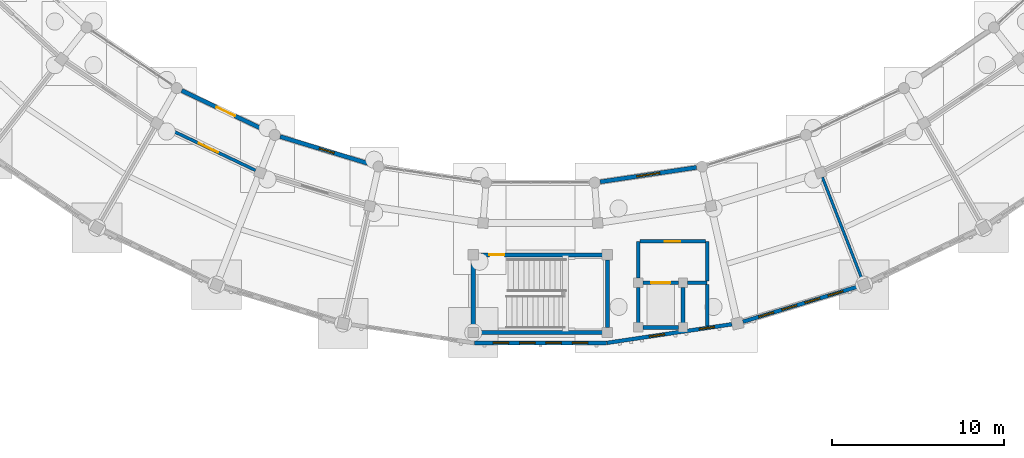
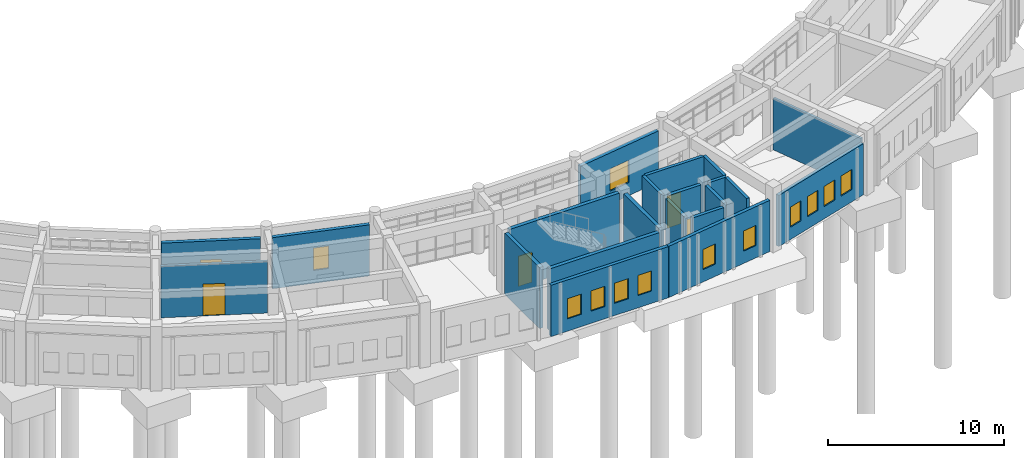
# One storey, part 122 of 153: 21 walls, 12 windows, 5 doors, 17 openings.
"""IFC4 building model written with IfcOpenShell, lengths in metres."""

from ifc_helpers import new_model, si_unit, direction, frame, frame_2d, origin, place, context, subcontext, project, spatial, rectangle, extrude, material, layer, layer_set, type_object, element, fill, save


model = new_model("IFC4")

# Units and contexts
model_context = context("Model", 3, precision=1e-05, world=origin(), true_north=direction((0.0, 1.0)))
body_context = subcontext(model_context, "Body", "Model", "MODEL_VIEW")
ifc_project = project(units=[si_unit("LENGTHUNIT", "METRE"), si_unit("AREAUNIT", "SQUARE_METRE"), si_unit("VOLUMEUNIT", "CUBIC_METRE"), si_unit("PLANEANGLEUNIT", "RADIAN"), si_unit("MASSUNIT", "GRAM", prefix="KILO")], contexts=[model_context])

# Site, building, storey
site_placement = place(None, origin())
site = spatial("IfcSite", under=ifc_project, at=site_placement, CompositionType="ELEMENT")
building_placement = place(site_placement, origin())
building = spatial("IfcBuilding", under=site, at=building_placement, Name="Celadon Cloister-Ring School", CompositionType="ELEMENT")
storey_placement = place(building_placement, origin())
storey = spatial("IfcBuildingStorey", under=building, at=storey_placement, Name="L00", CompositionType="ELEMENT", Elevation=0.0)

# Wall, opening, door
ifc_material_1 = material(Name="Rendered concrete blockwork", Category="masonry")
ifc_layer_1 = layer(ifc_material_1, 0.239990234375)
ifc_layer_set_1 = layer_set([ifc_layer_1], Name="Rendered concrete blockwork")
wall_type_1 = type_object("IfcWallType", Name="WT-EX3", PredefinedType="SOLIDWALL", material=ifc_layer_set_1)
wall_1_placement = place(storey_placement, frame((66.139892578125, 21.824951171875, 0.0), z_axis=(0.0, 0.0, 1.0), x_axis=(0.902739398982, -0.430187839817, 0.0)))
wall_1 = element("IfcWall", 1, at=wall_1_placement, inside=storey, type_object=wall_type_1, Name="Exterior Wall 0022", PredefinedType="SOLIDWALL", context=body_context, shape_type="SweptSolid", body=[
    extrude(rectangle(XDim=5.6650390625, YDim=0.239990234375, at=frame_2d((2.83251953125, 0.0))), origin(), (0.0, 0.0, 1.0), 3.550048828125),
])
opening_1_placement = place(wall_1_placement, frame((2.23193359375, 0.0, 0.0)))
opening_1 = element("IfcOpeningElement", 2, at=opening_1_placement, cuts=wall_1, Name="Opening D-0004", PredefinedType="OPENING", context=body_context, shape_type="SweptSolid", body=[
    extrude(rectangle(XDim=1.199951171875, YDim=2.25, at=frame_2d((0.60009765625, 1.125))), frame((0.0, 0.1298828125, 0.0), z_axis=(0.0, -1.0, 0.0), x_axis=(1.0, 0.0, 0.0)), (0.0, 0.0, 1.0), 0.260009765625),
])
ifc_material_2 = material(Name="Aluminium EN AW-6063 T6", Category="aluminium")
door_type_1 = type_object("IfcDoorType", Name="DE-06", OperationType="NOTDEFINED", PredefinedType="DOOR", material=ifc_material_2)
door_1_placement = place(opening_1_placement, origin())
door_1 = element("IfcDoor", 3, at=door_1_placement, inside=storey, type_object=door_type_1, Name="Exterior Door D-0004", OperationType="SINGLE_SWING_RIGHT", OverallHeight=2.25, OverallWidth=1.199951171875, PredefinedType="DOOR", context=body_context, shape_type="SweptSolid", body=[
    extrude(rectangle(XDim=1.199951171875, YDim=2.25, at=frame_2d((0.60009765625, 1.125))), frame((0.0, 0.02490234375, 0.0), z_axis=(0.0, -1.0, 0.0), x_axis=(1.0, 0.0, 0.0)), (0.0, 0.0, 1.0), 0.050048828125),
])
fill(opening_1, door_1)

# Wall, opening, window
wall_2_placement = place(storey_placement, frame((71.862060546875, 19.15087890625, 0.0), z_axis=(0.0, 0.0, 1.0), x_axis=(0.956419807649, -0.291995122454, 0.0)))
wall_2 = element("IfcWall", 4, at=wall_2_placement, inside=storey, type_object=wall_type_1, Name="Exterior Wall 0024", PredefinedType="SOLIDWALL", context=body_context, shape_type="SweptSolid", body=[
    extrude(rectangle(XDim=5.663818359375, YDim=0.239990234375, at=frame_2d((2.83203125, 0.0))), origin(), (0.0, 0.0, 1.0), 3.550048828125),
])
opening_2_placement = place(wall_2_placement, frame((2.382080078125, 0.0, 0.89990234375)))
opening_2 = element("IfcOpeningElement", 5, at=opening_2_placement, cuts=wall_2, Name="Opening WN-31", PredefinedType="OPENING", context=body_context, shape_type="SweptSolid", body=[
    extrude(rectangle(XDim=0.89990234375, YDim=1.550048828125, at=frame_2d((0.449951171875, 0.77490234375))), frame((0.0, 0.1298828125, 0.0), z_axis=(0.0, -1.0, 0.0), x_axis=(1.0, 0.0, 0.0)), (0.0, 0.0, 1.0), 0.260009765625),
])
ifc_material_3 = material(Name="Tempered laminated insulating glass", Category="glass")
window_type_1 = type_object("IfcWindowType", Name="WN-31", PartitioningType="SINGLE_PANEL", PredefinedType="WINDOW", material=ifc_material_3)
window_1_placement = place(opening_2_placement, origin())
window_1 = element("IfcWindow", 6, at=window_1_placement, inside=storey, type_object=window_type_1, Name="Window 0059", OverallHeight=1.550048828125, OverallWidth=0.89990234375, PartitioningType="SINGLE_PANEL", PredefinedType="WINDOW", context=body_context, shape_type="SweptSolid", body=[
    extrude(rectangle(XDim=0.89990234375, YDim=1.550048828125, at=frame_2d((0.449951171875, 0.77490234375))), frame((0.0, 0.030029296875, 0.0), z_axis=(0.0, -1.0, 0.0), x_axis=(1.0, 0.0, 0.0)), (0.0, 0.0, 1.0), 0.06005859375),
])
fill(opening_2, window_1)

wall_3_placement = place(storey_placement, frame((90.48193359375, 16.514892578125, 0.0), z_axis=(0.0, 0.0, 1.0), x_axis=(0.988996328806, 0.147940060862, 0.0)))
wall_3 = element("IfcWall", 7, at=wall_3_placement, inside=storey, type_object=wall_type_1, Name="Exterior Wall 0028", PredefinedType="SOLIDWALL", context=body_context, shape_type="SweptSolid", body=[
    extrude(rectangle(XDim=5.665283203125, YDim=0.239990234375, at=frame_2d((2.83251953125, 0.0))), origin(), (0.0, 0.0, 1.0), 3.550048828125),
])
opening_3_placement = place(wall_3_placement, frame((2.157958984375, 0.0, 0.89990234375)))
opening_3 = element("IfcOpeningElement", 8, at=opening_3_placement, cuts=wall_3, Name="Opening WN-34", PredefinedType="OPENING", context=body_context, shape_type="SweptSolid", body=[
    extrude(rectangle(XDim=1.35009765625, YDim=1.550048828125, at=frame_2d((0.675048828125, 0.77490234375))), frame((0.0, 0.1298828125, 0.0), z_axis=(0.0, -1.0, 0.0), x_axis=(1.0, 0.0, 0.0)), (0.0, 0.0, 1.0), 0.260009765625),
])
ifc_material_4 = material(Name="Tempered laminated insulating glass", Category="glass")
window_type_2 = type_object("IfcWindowType", Name="WN-34", PartitioningType="SINGLE_PANEL", PredefinedType="WINDOW", material=ifc_material_4)
window_2_placement = place(opening_3_placement, origin())
window_2 = element("IfcWindow", 9, at=window_2_placement, inside=storey, type_object=window_type_2, Name="Window 0070", OverallHeight=1.550048828125, OverallWidth=1.35009765625, PartitioningType="SINGLE_PANEL", PredefinedType="WINDOW", context=body_context, shape_type="SweptSolid", body=[
    extrude(rectangle(XDim=1.35009765625, YDim=1.550048828125, at=frame_2d((0.675048828125, 0.77490234375))), frame((0.0, 0.030029296875, 0.0), z_axis=(0.0, -1.0, 0.0), x_axis=(1.0, 0.0, 0.0)), (0.0, 0.0, 1.0), 0.06005859375),
])
fill(opening_3, window_2)

# Wall, openings, windows
ifc_material_5 = material(Name="Perforated terracotta clay brick masonry", Category="masonry")
ifc_layer_2 = layer(ifc_material_5, 0.219970703125)
ifc_layer_set_2 = layer_set([ifc_layer_2], Name="Perforated terracotta clay brick masonry")
wall_type_2 = type_object("IfcWallType", Name="WT-EX4", PredefinedType="SOLIDWALL", material=ifc_layer_set_2)
wall_4_placement = place(storey_placement, frame((90.85205078125, 7.14306640625, 0.0), z_axis=(0.0, 0.0, 1.0), x_axis=(-1.0, 0.0, 0.0)))
wall_4 = element("IfcWall", 10, at=wall_4_placement, inside=storey, type_object=wall_type_2, Name="Exterior Wall 0026", PredefinedType="SOLIDWALL", context=body_context, shape_type="SweptSolid", body=[
    extrude(rectangle(XDim=7.68603515625, YDim=0.219970703125, at=frame_2d((3.843017578125, 0.0))), origin(), (0.0, 0.0, 1.0), 3.550048828125),
])
opening_4_placement = place(wall_4_placement, frame((1.0869140625, 0.0, 0.85009765625)))
opening_4 = element("IfcOpeningElement", 11, at=opening_4_placement, cuts=wall_4, Name="Opening WN-21", PredefinedType="OPENING", context=body_context, shape_type="SweptSolid", body=[
    extrude(rectangle(XDim=0.89990234375, YDim=1.39990234375, at=frame_2d((0.449951171875, 0.699951171875))), frame((0.0, 0.1201171875, 0.0), z_axis=(0.0, -1.0, 0.0), x_axis=(1.0, 0.0, 0.0)), (0.0, 0.0, 1.0), 0.239990234375),
])
opening_5_placement = place(wall_4_placement, frame((2.6240234375, 0.0, 0.85009765625)))
opening_5 = element("IfcOpeningElement", 12, at=opening_5_placement, cuts=wall_4, Name="Opening WN-21", PredefinedType="OPENING", context=body_context, shape_type="SweptSolid", body=[
    extrude(rectangle(XDim=0.89990234375, YDim=1.39990234375, at=frame_2d((0.449951171875, 0.699951171875))), frame((0.0, 0.1201171875, 0.0), z_axis=(0.0, -1.0, 0.0), x_axis=(1.0, 0.0, 0.0)), (0.0, 0.0, 1.0), 0.239990234375),
])
opening_6_placement = place(wall_4_placement, frame((4.162109375, 0.0, 0.85009765625)))
opening_6 = element("IfcOpeningElement", 13, at=opening_6_placement, cuts=wall_4, Name="Opening WN-21", PredefinedType="OPENING", context=body_context, shape_type="SweptSolid", body=[
    extrude(rectangle(XDim=0.89990234375, YDim=1.39990234375, at=frame_2d((0.449951171875, 0.699951171875))), frame((0.0, 0.1201171875, 0.0), z_axis=(0.0, -1.0, 0.0), x_axis=(1.0, 0.0, 0.0)), (0.0, 0.0, 1.0), 0.239990234375),
])
opening_7_placement = place(wall_4_placement, frame((5.698974609375, 0.0, 0.85009765625)))
opening_7 = element("IfcOpeningElement", 14, at=opening_7_placement, cuts=wall_4, Name="Opening WN-21", PredefinedType="OPENING", context=body_context, shape_type="SweptSolid", body=[
    extrude(rectangle(XDim=0.89990234375, YDim=1.39990234375, at=frame_2d((0.449951171875, 0.699951171875))), frame((0.0, 0.1201171875, 0.0), z_axis=(0.0, -1.0, 0.0), x_axis=(1.0, 0.0, 0.0)), (0.0, 0.0, 1.0), 0.239990234375),
])
ifc_material_6 = material(Name="Tempered laminated insulating glass", Category="glass")
window_type_3 = type_object("IfcWindowType", Name="WN-21", PartitioningType="SINGLE_PANEL", PredefinedType="WINDOW", material=ifc_material_6)
window_3_placement = place(opening_4_placement, origin())
window_3 = element("IfcWindow", 15, at=window_3_placement, inside=storey, type_object=window_type_3, Name="Window 0064", OverallHeight=1.39990234375, OverallWidth=0.89990234375, PartitioningType="SINGLE_PANEL", PredefinedType="WINDOW", context=body_context, shape_type="SweptSolid", body=[
    extrude(rectangle(XDim=0.89990234375, YDim=1.39990234375, at=frame_2d((0.449951171875, 0.699951171875))), frame((0.0, 0.030029296875, 0.0), z_axis=(0.0, -1.0, 0.0), x_axis=(1.0, 0.0, 0.0)), (0.0, 0.0, 1.0), 0.06005859375),
])
fill(opening_4, window_3)
window_4_placement = place(opening_5_placement, origin())
window_4 = element("IfcWindow", 16, at=window_4_placement, inside=storey, type_object=window_type_3, Name="Window 0065", OverallHeight=1.39990234375, OverallWidth=0.89990234375, PartitioningType="SINGLE_PANEL", PredefinedType="WINDOW", context=body_context, shape_type="SweptSolid", body=[
    extrude(rectangle(XDim=0.89990234375, YDim=1.39990234375, at=frame_2d((0.449951171875, 0.699951171875))), frame((0.0, 0.030029296875, 0.0), z_axis=(0.0, -1.0, 0.0), x_axis=(1.0, 0.0, 0.0)), (0.0, 0.0, 1.0), 0.06005859375),
])
fill(opening_5, window_4)
window_5_placement = place(opening_6_placement, origin())
window_5 = element("IfcWindow", 17, at=window_5_placement, inside=storey, type_object=window_type_3, Name="Window 0066", OverallHeight=1.39990234375, OverallWidth=0.89990234375, PartitioningType="SINGLE_PANEL", PredefinedType="WINDOW", context=body_context, shape_type="SweptSolid", body=[
    extrude(rectangle(XDim=0.89990234375, YDim=1.39990234375, at=frame_2d((0.449951171875, 0.699951171875))), frame((0.0, 0.030029296875, 0.0), z_axis=(0.0, -1.0, 0.0), x_axis=(1.0, 0.0, 0.0)), (0.0, 0.0, 1.0), 0.06005859375),
])
fill(opening_6, window_5)
window_6_placement = place(opening_7_placement, origin())
window_6 = element("IfcWindow", 18, at=window_6_placement, inside=storey, type_object=window_type_3, Name="Window 0067", OverallHeight=1.39990234375, OverallWidth=0.89990234375, PartitioningType="SINGLE_PANEL", PredefinedType="WINDOW", context=body_context, shape_type="SweptSolid", body=[
    extrude(rectangle(XDim=0.89990234375, YDim=1.39990234375, at=frame_2d((0.449951171875, 0.699951171875))), frame((0.0, 0.030029296875, 0.0), z_axis=(0.0, -1.0, 0.0), x_axis=(1.0, 0.0, 0.0)), (0.0, 0.0, 1.0), 0.06005859375),
])
fill(opening_7, window_6)

wall_5_placement = place(storey_placement, frame((98.138916015625, 8.23095703125, 0.0), z_axis=(0.0, 0.0, 1.0), x_axis=(-0.989043064047, -0.1476272924, 0.0)))
wall_5 = element("IfcWall", 19, at=wall_5_placement, inside=storey, type_object=wall_type_2, Name="Exterior Wall 0027", PredefinedType="SOLIDWALL", context=body_context, shape_type="SweptSolid", body=[
    extrude(rectangle(XDim=7.349365234375, YDim=0.219970703125, at=frame_2d((3.6748046875, 0.0))), origin(), (0.0, 0.0, 1.0), 3.550048828125),
])
opening_8_placement = place(wall_5_placement, frame((1.02001953125, 0.0, 0.85009765625)))
opening_8 = element("IfcOpeningElement", 20, at=opening_8_placement, cuts=wall_5, Name="Opening WN-21", PredefinedType="OPENING", context=body_context, shape_type="SweptSolid", body=[
    extrude(rectangle(XDim=0.89990234375, YDim=1.39990234375, at=frame_2d((0.449951171875, 0.699951171875))), frame((0.0, 0.1201171875, 0.0), z_axis=(0.0, -1.0, 0.0), x_axis=(1.0, 0.0, 0.0)), (0.0, 0.0, 1.0), 0.239990234375),
])
opening_9_placement = place(wall_5_placement, frame((3.9599609375, 0.0, 0.85009765625)))
opening_9 = element("IfcOpeningElement", 21, at=opening_9_placement, cuts=wall_5, Name="Opening WN-21", PredefinedType="OPENING", context=body_context, shape_type="SweptSolid", body=[
    extrude(rectangle(XDim=0.89990234375, YDim=1.39990234375, at=frame_2d((0.449951171875, 0.699951171875))), frame((0.0, 0.1201171875, 0.0), z_axis=(0.0, -1.0, 0.0), x_axis=(1.0, 0.0, 0.0)), (0.0, 0.0, 1.0), 0.239990234375),
])
window_7_placement = place(opening_8_placement, origin())
window_7 = element("IfcWindow", 22, at=window_7_placement, inside=storey, type_object=window_type_3, Name="Window 0068", OverallHeight=1.39990234375, OverallWidth=0.89990234375, PartitioningType="SINGLE_PANEL", PredefinedType="WINDOW", context=body_context, shape_type="SweptSolid", body=[
    extrude(rectangle(XDim=0.89990234375, YDim=1.39990234375, at=frame_2d((0.449951171875, 0.699951171875))), frame((0.0, 0.030029296875, 0.0), z_axis=(0.0, -1.0, 0.0), x_axis=(1.0, 0.0, 0.0)), (0.0, 0.0, 1.0), 0.06005859375),
])
fill(opening_8, window_7)
window_8_placement = place(opening_9_placement, origin())
window_8 = element("IfcWindow", 23, at=window_8_placement, inside=storey, type_object=window_type_3, Name="Window 0069", OverallHeight=1.39990234375, OverallWidth=0.89990234375, PartitioningType="SINGLE_PANEL", PredefinedType="WINDOW", context=body_context, shape_type="SweptSolid", body=[
    extrude(rectangle(XDim=0.89990234375, YDim=1.39990234375, at=frame_2d((0.449951171875, 0.699951171875))), frame((0.0, 0.030029296875, 0.0), z_axis=(0.0, -1.0, 0.0), x_axis=(1.0, 0.0, 0.0)), (0.0, 0.0, 1.0), 0.06005859375),
])
fill(opening_9, window_8)

wall_6_placement = place(storey_placement, frame((105.51708984375, 10.43408203125, 0.0), z_axis=(0.0, 0.0, 1.0), x_axis=(-0.956340250866, -0.292255580912, 0.0)))
wall_6 = element("IfcWall", 24, at=wall_6_placement, inside=storey, type_object=wall_type_2, Name="Exterior Wall 0029", PredefinedType="SOLIDWALL", context=body_context, shape_type="SweptSolid", body=[
    extrude(rectangle(XDim=7.0322265625, YDim=0.219970703125, at=frame_2d((3.51611328125, 0.0))), origin(), (0.0, 0.0, 1.0), 3.550048828125),
])
opening_10_placement = place(wall_6_placement, frame((0.9560546875, 0.0, 0.85009765625)))
opening_10 = element("IfcOpeningElement", 25, at=opening_10_placement, cuts=wall_6, Name="Opening WN-21", PredefinedType="OPENING", context=body_context, shape_type="SweptSolid", body=[
    extrude(rectangle(XDim=0.89990234375, YDim=1.39990234375, at=frame_2d((0.449951171875, 0.699951171875))), frame((0.0, 0.1201171875, 0.0), z_axis=(0.0, -1.0, 0.0), x_axis=(1.0, 0.0, 0.0)), (0.0, 0.0, 1.0), 0.239990234375),
])
opening_11_placement = place(wall_6_placement, frame((2.363037109375, 0.0, 0.85009765625)))
opening_11 = element("IfcOpeningElement", 26, at=opening_11_placement, cuts=wall_6, Name="Opening WN-21", PredefinedType="OPENING", context=body_context, shape_type="SweptSolid", body=[
    extrude(rectangle(XDim=0.89990234375, YDim=1.39990234375, at=frame_2d((0.449951171875, 0.699951171875))), frame((0.0, 0.1201171875, 0.0), z_axis=(0.0, -1.0, 0.0), x_axis=(1.0, 0.0, 0.0)), (0.0, 0.0, 1.0), 0.239990234375),
])
opening_12_placement = place(wall_6_placement, frame((3.76904296875, 0.0, 0.85009765625)))
opening_12 = element("IfcOpeningElement", 27, at=opening_12_placement, cuts=wall_6, Name="Opening WN-21", PredefinedType="OPENING", context=body_context, shape_type="SweptSolid", body=[
    extrude(rectangle(XDim=0.89990234375, YDim=1.39990234375, at=frame_2d((0.449951171875, 0.699951171875))), frame((0.0, 0.1201171875, 0.0), z_axis=(0.0, -1.0, 0.0), x_axis=(1.0, 0.0, 0.0)), (0.0, 0.0, 1.0), 0.239990234375),
])
opening_13_placement = place(wall_6_placement, frame((5.176025390625, 0.0, 0.85009765625)))
opening_13 = element("IfcOpeningElement", 28, at=opening_13_placement, cuts=wall_6, Name="Opening WN-21", PredefinedType="OPENING", context=body_context, shape_type="SweptSolid", body=[
    extrude(rectangle(XDim=0.89990234375, YDim=1.39990234375, at=frame_2d((0.449951171875, 0.699951171875))), frame((0.0, 0.1201171875, 0.0), z_axis=(0.0, -1.0, 0.0), x_axis=(1.0, 0.0, 0.0)), (0.0, 0.0, 1.0), 0.239990234375),
])
window_9_placement = place(opening_10_placement, origin())
window_9 = element("IfcWindow", 29, at=window_9_placement, inside=storey, type_object=window_type_3, Name="Window 0071", OverallHeight=1.39990234375, OverallWidth=0.89990234375, PartitioningType="SINGLE_PANEL", PredefinedType="WINDOW", context=body_context, shape_type="SweptSolid", body=[
    extrude(rectangle(XDim=0.89990234375, YDim=1.39990234375, at=frame_2d((0.449951171875, 0.699951171875))), frame((0.0, 0.030029296875, 0.0), z_axis=(0.0, -1.0, 0.0), x_axis=(1.0, 0.0, 0.0)), (0.0, 0.0, 1.0), 0.06005859375),
])
fill(opening_10, window_9)
window_10_placement = place(opening_11_placement, origin())
window_10 = element("IfcWindow", 30, at=window_10_placement, inside=storey, type_object=window_type_3, Name="Window 0072", OverallHeight=1.39990234375, OverallWidth=0.89990234375, PartitioningType="SINGLE_PANEL", PredefinedType="WINDOW", context=body_context, shape_type="SweptSolid", body=[
    extrude(rectangle(XDim=0.89990234375, YDim=1.39990234375, at=frame_2d((0.449951171875, 0.699951171875))), frame((0.0, 0.030029296875, 0.0), z_axis=(0.0, -1.0, 0.0), x_axis=(1.0, 0.0, 0.0)), (0.0, 0.0, 1.0), 0.06005859375),
])
fill(opening_11, window_10)
window_11_placement = place(opening_12_placement, origin())
window_11 = element("IfcWindow", 31, at=window_11_placement, inside=storey, type_object=window_type_3, Name="Window 0073", OverallHeight=1.39990234375, OverallWidth=0.89990234375, PartitioningType="SINGLE_PANEL", PredefinedType="WINDOW", context=body_context, shape_type="SweptSolid", body=[
    extrude(rectangle(XDim=0.89990234375, YDim=1.39990234375, at=frame_2d((0.449951171875, 0.699951171875))), frame((0.0, 0.030029296875, 0.0), z_axis=(0.0, -1.0, 0.0), x_axis=(1.0, 0.0, 0.0)), (0.0, 0.0, 1.0), 0.06005859375),
])
fill(opening_12, window_11)
window_12_placement = place(opening_13_placement, origin())
window_12 = element("IfcWindow", 32, at=window_12_placement, inside=storey, type_object=window_type_3, Name="Window 0074", OverallHeight=1.39990234375, OverallWidth=0.89990234375, PartitioningType="SINGLE_PANEL", PredefinedType="WINDOW", context=body_context, shape_type="SweptSolid", body=[
    extrude(rectangle(XDim=0.89990234375, YDim=1.39990234375, at=frame_2d((0.449951171875, 0.699951171875))), frame((0.0, 0.030029296875, 0.0), z_axis=(0.0, -1.0, 0.0), x_axis=(1.0, 0.0, 0.0)), (0.0, 0.0, 1.0), 0.06005859375),
])
fill(opening_13, window_12)

# Walls
ifc_material_7 = material(Name="Plastered hollow concrete masonry", Category="masonry")
ifc_layer_3 = layer(ifc_material_7, 0.199951171875)
ifc_layer_set_3 = layer_set([ifc_layer_3], Name="Plastered hollow concrete masonry")
wall_type_3 = type_object("IfcWallType", Name="WT-PT1", PredefinedType="PARTITIONING", material=ifc_layer_set_3)
wall_7_placement = place(storey_placement, frame((92.699951171875, 10.9169921875, 0.0), z_axis=(0.0, 0.0, 1.0), x_axis=(0.0, 1.0, 0.0)))
element("IfcWall", 33, at=wall_7_placement, inside=storey, type_object=wall_type_3, Name="Interior Wall 0303", PredefinedType="PARTITIONING", context=body_context, shape_type="SweptSolid", body=[
    extrude(rectangle(XDim=2.133056640625, YDim=0.199951171875, at=frame_2d((1.06640625, 0.0))), origin(), (0.0, 0.0, 1.0), 4.199951171875),
])
wall_8_placement = place(storey_placement, frame((95.56689453125, 10.64990234375, 0.0), z_axis=(0.0, 0.0, 1.0), x_axis=(1.0, 0.0, 0.0)))
element("IfcWall", 34, at=wall_8_placement, inside=storey, type_object=wall_type_3, Name="Interior Wall 0304", PredefinedType="PARTITIONING", context=body_context, shape_type="SweptSolid", body=[
    extrude(rectangle(XDim=1.133056640625, YDim=0.199951171875, at=frame_2d((0.56640625, 0.0))), origin(), (0.0, 0.0, 1.0), 4.199951171875),
])
wall_9_placement = place(storey_placement, frame((96.699951171875, 8.1298828125, 0.0), z_axis=(0.0, 0.0, 1.0), x_axis=(0.0, 1.0, 0.0)))
element("IfcWall", 35, at=wall_9_placement, inside=storey, type_object=wall_type_3, Name="Interior Wall 0305", PredefinedType="PARTITIONING", context=body_context, shape_type="SweptSolid", body=[
    extrude(rectangle(XDim=2.417236328125, YDim=0.199951171875, at=frame_2d((1.20849609375, 0.0))), origin(), (0.0, 0.0, 1.0), 4.199951171875),
])
wall_10_placement = place(storey_placement, frame((96.699951171875, 10.7529296875, 0.0), z_axis=(0.0, 0.0, 1.0), x_axis=(0.0, 1.0, 0.0)))
element("IfcWall", 36, at=wall_10_placement, inside=storey, type_object=wall_type_3, Name="Interior Wall 0306", PredefinedType="PARTITIONING", context=body_context, shape_type="SweptSolid", body=[
    extrude(rectangle(XDim=2.297119140625, YDim=0.199951171875, at=frame_2d((1.1484375, 0.0))), origin(), (0.0, 0.0, 1.0), 4.199951171875),
])

# Wall, opening, door
wall_11_placement = place(storey_placement, frame((92.802978515625, 13.050048828125, 0.0), z_axis=(0.0, 0.0, 1.0), x_axis=(1.0, 0.0, 0.0)))
wall_11 = element("IfcWall", 37, at=wall_11_placement, inside=storey, type_object=wall_type_3, Name="Interior Wall 0307", PredefinedType="PARTITIONING", context=body_context, shape_type="SweptSolid", body=[
    extrude(rectangle(XDim=3.7939453125, YDim=0.199951171875, at=frame_2d((1.89697265625, 0.0))), origin(), (0.0, 0.0, 1.0), 4.199951171875),
])
opening_14_placement = place(wall_11_placement, frame((1.447021484375, 0.0, 0.0)))
opening_14 = element("IfcOpeningElement", 38, at=opening_14_placement, cuts=wall_11, Name="Opening D-0097", PredefinedType="OPENING", context=body_context, shape_type="SweptSolid", body=[
    extrude(rectangle(XDim=0.89990234375, YDim=2.199951171875, at=frame_2d((0.449951171875, 1.10009765625))), frame((0.0, 0.10986328125, 0.0), z_axis=(0.0, -1.0, 0.0), x_axis=(1.0, 0.0, 0.0)), (0.0, 0.0, 1.0), 0.219970703125),
])
ifc_material_8 = material(Name="Solid-core fire-rated hardwood leaf", Category="wood")
door_type_2 = type_object("IfcDoorType", Name="DT-06", OperationType="NOTDEFINED", PredefinedType="DOOR", material=ifc_material_8)
door_2_placement = place(opening_14_placement, origin())
door_2 = element("IfcDoor", 39, at=door_2_placement, inside=storey, type_object=door_type_2, Name="Door D-0097", OperationType="SINGLE_SWING_LEFT", OverallHeight=2.199951171875, OverallWidth=0.89990234375, PredefinedType="DOOR", context=body_context, shape_type="SweptSolid", body=[
    extrude(rectangle(XDim=0.89990234375, YDim=2.199951171875, at=frame_2d((0.449951171875, 1.10009765625))), frame((0.0, 0.02490234375, 0.0), z_axis=(0.0, -1.0, 0.0), x_axis=(1.0, 0.0, 0.0)), (0.0, 0.0, 1.0), 0.050048828125),
])
fill(opening_14, door_2)

ifc_material_9 = material(Name="Plastered hollow concrete masonry", Category="masonry")
ifc_layer_4 = layer(ifc_material_9, 0.179931640625)
ifc_layer_set_4 = layer_set([ifc_layer_4], Name="Plastered hollow concrete masonry")
wall_type_4 = type_object("IfcWallType", Name="WT-PT2", PredefinedType="PARTITIONING", material=ifc_layer_set_4)
wall_12_placement = place(storey_placement, frame((64.944091796875, 19.800048828125, 0.0), z_axis=(0.0, 0.0, 1.0), x_axis=(0.902690527885, -0.430290379704, 0.0)))
wall_12 = element("IfcWall", 40, at=wall_12_placement, inside=storey, type_object=wall_type_4, Name="Interior Wall 0466", PredefinedType="PARTITIONING", context=body_context, shape_type="SweptSolid", body=[
    extrude(rectangle(XDim=6.081787109375, YDim=0.179931640625, at=frame_2d((3.041015625, 0.0))), origin(), (0.0, 0.0, 1.0), 3.572021484375),
])
opening_15_placement = place(wall_12_placement, frame((2.416015625, 0.0, 0.0)))
opening_15 = element("IfcOpeningElement", 41, at=opening_15_placement, cuts=wall_12, Name="Opening D-0127", PredefinedType="OPENING", context=body_context, shape_type="SweptSolid", body=[
    extrude(rectangle(XDim=1.25, YDim=2.199951171875, at=frame_2d((0.625, 1.10009765625))), frame((0.0, 0.10009765625, 0.0), z_axis=(0.0, -1.0, 0.0), x_axis=(1.0, 0.0, 0.0)), (0.0, 0.0, 1.0), 0.199951171875),
])
ifc_material_10 = material(Name="Galvanised fire-rated hollow steel leaf", Category="steel")
door_type_3 = type_object("IfcDoorType", Name="DT-10", OperationType="NOTDEFINED", PredefinedType="DOOR", material=ifc_material_10)
door_3_placement = place(opening_15_placement, origin())
door_3 = element("IfcDoor", 42, at=door_3_placement, inside=storey, type_object=door_type_3, Name="Door D-0127", OperationType="SINGLE_SWING_LEFT", OverallHeight=2.199951171875, OverallWidth=1.25, PredefinedType="DOOR", context=body_context, shape_type="SweptSolid", body=[
    extrude(rectangle(XDim=1.25, YDim=2.199951171875, at=frame_2d((0.625, 1.10009765625))), frame((0.0, 0.02490234375, 0.0), z_axis=(0.0, -1.0, 0.0), x_axis=(1.0, 0.0, 0.0)), (0.0, 0.0, 1.0), 0.050048828125),
])
fill(opening_15, door_3)

# Walls
ifc_material_11 = material(Name="Plastered hollow concrete masonry", Category="masonry")
ifc_layer_5 = layer(ifc_material_11, 0.159912109375)
ifc_layer_set_5 = layer_set([ifc_layer_5], Name="Plastered hollow concrete masonry")
wall_type_5 = type_object("IfcWallType", Name="WT-PT3", PredefinedType="PARTITIONING", material=ifc_layer_set_5)
wall_13_placement = place(storey_placement, frame((103.407958984375, 16.784912109375, 0.0), z_axis=(0.0, 0.0, 1.0), x_axis=(0.362166079004, -0.932113582789, 0.0)))
element("IfcWall", 43, at=wall_13_placement, inside=storey, type_object=wall_type_5, Name="Interior Wall 0438", PredefinedType="PARTITIONING", context=body_context, shape_type="SweptSolid", body=[
    extrude(rectangle(XDim=6.391845703125, YDim=0.159912109375, at=frame_2d((3.19580078125, 0.0))), origin(), (0.0, 0.0, 1.0), 3.572021484375),
])
ifc_material_12 = material(Name="Concrete C40/50", Category="concrete")
ifc_layer_6 = layer(ifc_material_12, 0.239990234375)
ifc_layer_set_6 = layer_set([ifc_layer_6], Name="Concrete C40/50")
wall_type_6 = type_object("IfcWallType", Name="WT-SH1", PredefinedType="SHEAR", material=ifc_layer_set_6)
for number, where, z_axis, x_axis, name in (
    (44, (83.10009765625, 8.0419921875, 0.0), (0.0, 0.0, 1.0), (0.0, 1.0, 0.0), "Interior Wall 0161"),
    (45, (90.89990234375, 11.97802734375, 0.0), (0.0, 0.0, 1.0), (0.0, -1.0, 0.0), "Interior Wall 0162"),
):
    element("IfcWall", number, at=place(storey_placement, frame(where, z_axis=z_axis, x_axis=x_axis)), inside=storey, type_object=wall_type_6, Name=name, PredefinedType="SHEAR", context=body_context, shape_type="SweptSolid", body=[
        extrude(rectangle(XDim=3.93603515625, YDim=0.239990234375, at=frame_2d((1.968017578125, 0.0))), origin(), (0.0, 0.0, 1.0), 4.239990234375),
    ])
wall_14_placement = place(storey_placement, frame((90.60791015625, 7.75, 0.0), z_axis=(0.0, 0.0, 1.0), x_axis=(-1.0, 0.0, 0.0)))
element("IfcWall", 46, at=wall_14_placement, inside=storey, type_object=wall_type_6, Name="Interior Wall 0163", PredefinedType="SHEAR", context=body_context, shape_type="SweptSolid", body=[
    extrude(rectangle(XDim=7.2158203125, YDim=0.239990234375, at=frame_2d((3.60791015625, 0.0))), origin(), (0.0, 0.0, 1.0), 4.239990234375),
])

# Wall, opening, door
wall_15_placement = place(storey_placement, frame((83.39208984375, 12.27001953125, 0.0), z_axis=(0.0, 0.0, 1.0), x_axis=(1.0, 0.0, 0.0)))
wall_15 = element("IfcWall", 47, at=wall_15_placement, inside=storey, type_object=wall_type_6, Name="Interior Wall 0164", PredefinedType="SHEAR", context=body_context, shape_type="SweptSolid", body=[
    extrude(rectangle(XDim=7.2158203125, YDim=0.239990234375, at=frame_2d((3.60791015625, 0.0))), origin(), (0.0, 0.0, 1.0), 4.239990234375),
])
opening_16_placement = place(wall_15_placement, frame((0.64208984375, 0.0, 0.0)))
opening_16 = element("IfcOpeningElement", 48, at=opening_16_placement, cuts=wall_15, Name="Opening D-0073", PredefinedType="OPENING", context=body_context, shape_type="SweptSolid", body=[
    extrude(rectangle(XDim=0.8798828125, YDim=2.10009765625, at=frame_2d((0.43994140625, 1.050048828125))), frame((0.0, 0.1298828125, 0.0), z_axis=(0.0, -1.0, 0.0), x_axis=(1.0, 0.0, 0.0)), (0.0, 0.0, 1.0), 0.260009765625),
])
ifc_material_13 = material(Name="Solid-core fire-rated hardwood leaf", Category="wood")
door_type_4 = type_object("IfcDoorType", Name="DT-01", OperationType="NOTDEFINED", PredefinedType="DOOR", material=ifc_material_13)
door_4_placement = place(opening_16_placement, origin())
door_4 = element("IfcDoor", 49, at=door_4_placement, inside=storey, type_object=door_type_4, Name="Door D-0073", OperationType="SINGLE_SWING_LEFT", OverallHeight=2.10009765625, OverallWidth=0.8798828125, PredefinedType="DOOR", context=body_context, shape_type="SweptSolid", body=[
    extrude(rectangle(XDim=0.8798828125, YDim=2.10009765625, at=frame_2d((0.43994140625, 1.050048828125))), frame((0.0, 0.02490234375, 0.0), z_axis=(0.0, -1.0, 0.0), x_axis=(1.0, 0.0, 0.0)), (0.0, 0.0, 1.0), 0.050048828125),
])
fill(opening_16, door_4)

# Walls
ifc_material_14 = material(Name="Concrete C40/50", Category="concrete")
ifc_layer_7 = layer(ifc_material_14, 0.219970703125)
ifc_layer_set_7 = layer_set([ifc_layer_7], Name="Concrete C40/50")
wall_type_7 = type_object("IfcWallType", Name="WT-SH2", PredefinedType="SHEAR", material=ifc_layer_set_7)
wall_16_placement = place(storey_placement, frame((92.967041015625, 8.050048828125, 0.0), z_axis=(0.0, 0.0, 1.0), x_axis=(1.0, 0.0, 0.0)))
element("IfcWall", 50, at=wall_16_placement, inside=storey, type_object=wall_type_7, Name="Interior Wall 0299", PredefinedType="SHEAR", context=body_context, shape_type="SweptSolid", body=[
    extrude(rectangle(XDim=2.06591796875, YDim=0.219970703125, at=frame_2d((1.032958984375, 0.0))), origin(), (0.0, 0.0, 1.0), 4.239990234375),
])
wall_17_placement = place(storey_placement, frame((95.300048828125, 8.31689453125, 0.0), z_axis=(0.0, 0.0, 1.0), x_axis=(0.0, 1.0, 0.0)))
element("IfcWall", 51, at=wall_17_placement, inside=storey, type_object=wall_type_7, Name="Interior Wall 0300", PredefinedType="SHEAR", context=body_context, shape_type="SweptSolid", body=[
    extrude(rectangle(XDim=2.066162109375, YDim=0.219970703125, at=frame_2d((1.033203125, 0.0))), origin(), (0.0, 0.0, 1.0), 4.239990234375),
])

# Wall, opening, door
wall_18_placement = place(storey_placement, frame((95.032958984375, 10.64990234375, 0.0), z_axis=(0.0, 0.0, 1.0), x_axis=(-1.0, 0.0, 0.0)))
wall_18 = element("IfcWall", 52, at=wall_18_placement, inside=storey, type_object=wall_type_7, Name="Interior Wall 0301", PredefinedType="SHEAR", context=body_context, shape_type="SweptSolid", body=[
    extrude(rectangle(XDim=2.06591796875, YDim=0.219970703125, at=frame_2d((1.032958984375, 0.0))), origin(), (0.0, 0.0, 1.0), 4.239990234375),
])
opening_17_placement = place(wall_18_placement, frame((0.48291015625, 0.0, 0.0)))
opening_17 = element("IfcOpeningElement", 53, at=opening_17_placement, cuts=wall_18, Name="Opening LD-013", PredefinedType="OPENING", context=body_context, shape_type="SweptSolid", body=[
    extrude(rectangle(XDim=1.10009765625, YDim=2.14990234375, at=frame_2d((0.550048828125, 1.074951171875))), frame((0.0, 0.1201171875, 0.0), z_axis=(0.0, -1.0, 0.0), x_axis=(1.0, 0.0, 0.0)), (0.0, 0.0, 1.0), 0.239990234375),
])
ifc_material_15 = material(Name="Galvanised fire-rated hollow steel leaf", Category="steel")
door_type_5 = type_object("IfcDoorType", Name="DT-LD1", OperationType="DOUBLE_DOOR_SLIDING", PredefinedType="DOOR", material=ifc_material_15)
door_5_placement = place(opening_17_placement, origin())
door_5 = element("IfcDoor", 54, at=door_5_placement, inside=storey, type_object=door_type_5, Name="Door LD-013", OperationType="DOUBLE_DOOR_SLIDING", OverallHeight=2.14990234375, OverallWidth=1.10009765625, PredefinedType="DOOR", context=body_context, shape_type="SweptSolid", body=[
    extrude(rectangle(XDim=1.10009765625, YDim=2.14990234375, at=frame_2d((0.550048828125, 1.074951171875))), frame((0.0, 0.02490234375, 0.0), z_axis=(0.0, -1.0, 0.0), x_axis=(1.0, 0.0, 0.0)), (0.0, 0.0, 1.0), 0.050048828125),
])
fill(opening_17, door_5)

# Wall
wall_19_placement = place(storey_placement, frame((92.699951171875, 10.383056640625, 0.0), z_axis=(0.0, 0.0, 1.0), x_axis=(0.0, -1.0, 0.0)))
element("IfcWall", 55, at=wall_19_placement, inside=storey, type_object=wall_type_7, Name="Interior Wall 0302", PredefinedType="SHEAR", context=body_context, shape_type="SweptSolid", body=[
    extrude(rectangle(XDim=2.066162109375, YDim=0.219970703125, at=frame_2d((1.033203125, 0.0))), origin(), (0.0, 0.0, 1.0), 4.239990234375),
])

save(model, "model.ifc")
